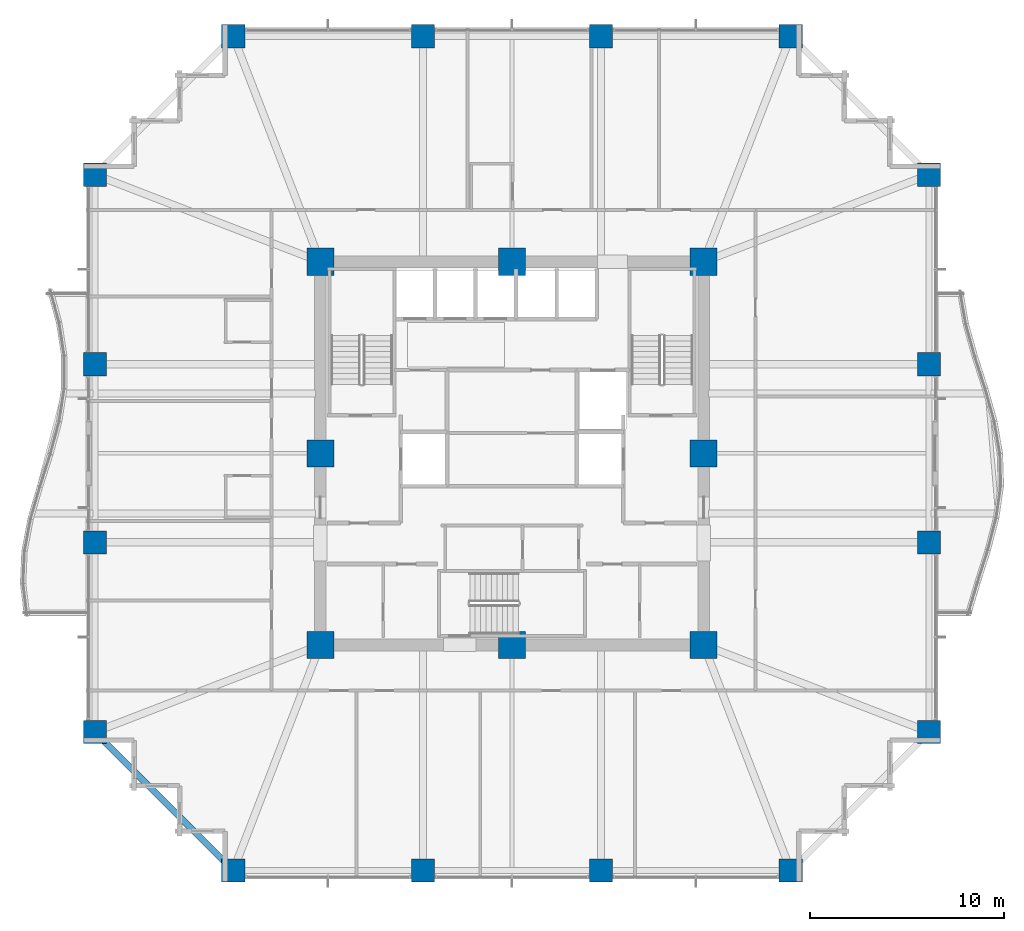
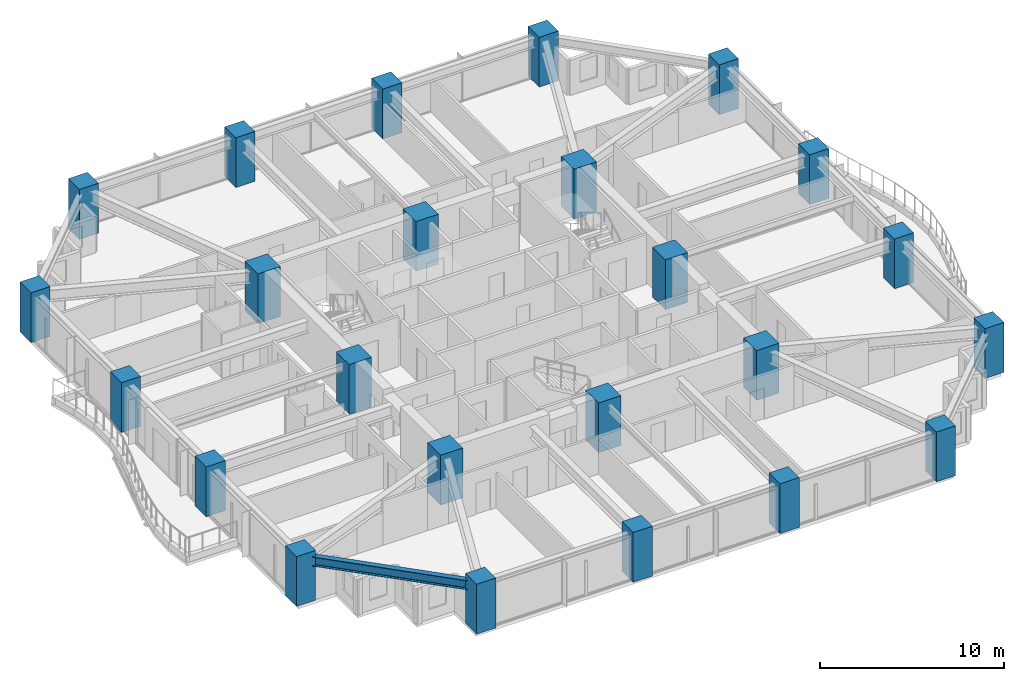
# One storey, part 1 of 38: 24 columns, 1 beam.
"""IFC4 building model written with IfcOpenShell, lengths in metres."""

import ifcopenshell
import ifcopenshell.guid

model = None  # the IFC model being written
_history = None  # IfcOwnerHistory: only IFC2X3 demands one
_inside = {}  # id of a spatial element -> (the spatial element, [elements in it])
_under = {}  # id of a project, library or spatial element -> (it, [spatial elements below it])
_declared = {}  # id of a project -> (the project, [libraries it declares])
_typed = {}  # id of a type object -> (the type object, [elements of that type])
_made_of = {}  # id of a material, layer set ... -> (it, [elements and type objects made of it])


def new_model(schema):
    """Start an empty IFC model of exactly this schema.

    Asked for "IFC4X3", IfcOpenShell would pick the latest addendum, in which some entities
    have other attributes; the version numbers below select the first issue.
    IFC2X3 requires an IfcOwnerHistory on every rooted entity: one is made here for all.
    """
    global model, _history
    if schema == "IFC4X3":
        model = ifcopenshell.file(schema_version=(4, 3, 0, 0))
    else:
        model = ifcopenshell.file(schema=schema)
    _inside.clear()
    _under.clear()
    _declared.clear()
    _typed.clear()
    _made_of.clear()
    _history = None
    if model.schema == "IFC2X3":
        org = make("IfcOrganization", Name="unknown")
        user = make(
            "IfcPersonAndOrganization",
            ThePerson=make("IfcPerson", FamilyName="unknown"),
            TheOrganization=org,
        )
        app = make(
            "IfcApplication",
            ApplicationDeveloper=org,
            Version="unknown",
            ApplicationFullName="unknown",
            ApplicationIdentifier="unknown",
        )
        _history = make(
            "IfcOwnerHistory",
            OwningUser=user,
            OwningApplication=app,
            ChangeAction="ADDED",
            CreationDate=0,
        )
    return model


def make(cls, **values):
    """One entity of the class cls with the attributes given. An attribute that is None is left unset."""
    return model.create_entity(
        cls, **{name: value for name, value in values.items() if value is not None}
    )


def rooted(cls, **values):
    """An entity with a GlobalId (a new one), such as an element, a storey or a relation."""
    return make(cls, GlobalId=ifcopenshell.guid.new(), OwnerHistory=_history, **values)


def si_unit(unit_type, name, prefix=None):
    """IfcSIUnit, for example si_unit("LENGTHUNIT", "METRE", prefix="MILLI")."""
    return make("IfcSIUnit", UnitType=unit_type, Prefix=prefix, Name=name)


def assignment(units):
    """IfcUnitAssignment: the units of a project."""
    return None if units is None else make("IfcUnitAssignment", Units=units)


def point(xyz):
    """IfcCartesianPoint."""
    return None if xyz is None else make("IfcCartesianPoint", Coordinates=xyz)


def direction(xyz):
    """IfcDirection."""
    return None if xyz is None else make("IfcDirection", DirectionRatios=xyz)


def frame(location, z_axis=None, x_axis=None):
    """IfcAxis2Placement3D, a coordinate frame: its origin and axes. An axis left out is left unset."""
    return make(
        "IfcAxis2Placement3D",
        Location=point(location),
        Axis=direction(z_axis),
        RefDirection=direction(x_axis),
    )


def frame_2d(location, x_axis=None):
    """IfcAxis2Placement2D, a coordinate frame in the plane: its origin and x axis."""
    return make(
        "IfcAxis2Placement2D", Location=point(location), RefDirection=direction(x_axis)
    )


def origin():
    """The frame at (0, 0, 0) with its axes left unset."""
    return frame((0.0, 0.0, 0.0))


def origin_2d():
    """The frame at (0, 0) in the plane with its x axis left unset."""
    return frame_2d((0.0, 0.0))


def place(relative_to, where):
    """IfcLocalPlacement: puts the frame where relative to a parent placement (None: the world)."""
    return make(
        "IfcLocalPlacement", PlacementRelTo=relative_to, RelativePlacement=where
    )


def context(
    kind, dimensions, precision=None, world=None, true_north=None, identifier=None
):
    """IfcGeometricRepresentationContext, for example the 3D "Model" context."""
    return make(
        "IfcGeometricRepresentationContext",
        ContextIdentifier=identifier,
        ContextType=kind,
        CoordinateSpaceDimension=dimensions,
        Precision=precision,
        WorldCoordinateSystem=world,
        TrueNorth=true_north,
    )


def subcontext(parent, identifier, kind, view, scale=None):
    """IfcGeometricRepresentationSubContext, for example "Body" below "Model"."""
    return make(
        "IfcGeometricRepresentationSubContext",
        ContextIdentifier=identifier,
        ContextType=kind,
        ParentContext=parent,
        TargetScale=scale,
        TargetView=view,
    )


def project(units=None, contexts=None):
    """IfcProject with its units and contexts."""
    return rooted(
        "IfcProject",
        Name="project",
        RepresentationContexts=contexts,
        UnitsInContext=assignment(units),
    )


def spatial(cls, under=None, at=None, **own):
    """A site, building, storey or space (cls), placed at a placement, below another one or the project."""
    s = rooted(cls, ObjectPlacement=at, **own)
    if under is not None:
        _under.setdefault(under.id(), (under, []))[1].append(s)
    return s


def profile(cls, at=None, kind="AREA", **sizes):
    """A parametric profile (cls). Its sizes go by their IFC names, for example OverallWidth=200.0."""
    return make(cls, ProfileType=kind, Position=at, **sizes)


def rectangle(**sizes):
    """IfcRectangleProfileDef."""
    return profile("IfcRectangleProfileDef", **sizes)


def i_section(**sizes):
    """IfcIShapeProfileDef."""
    return profile("IfcIShapeProfileDef", **sizes)


def extrude(swept, where, along, depth):
    """IfcExtrudedAreaSolid: the profile swept, set in the frame where, extruded along a direction by depth."""
    return make(
        "IfcExtrudedAreaSolid",
        SweptArea=swept,
        Position=where,
        ExtrudedDirection=direction(along),
        Depth=depth,
    )


def shape(context_of_items, identifier, shape_type, items):
    """IfcShapeRepresentation: the items that make up one representation, for example the "Body"."""
    return make(
        "IfcShapeRepresentation",
        ContextOfItems=context_of_items,
        RepresentationIdentifier=identifier,
        RepresentationType=shape_type,
        Items=items,
    )


def material(Name=None, Category=None):
    """IfcMaterial."""
    return make("IfcMaterial", Name=Name, Category=Category)


def material_profile(
    of_material, cross_section, Name=None, Category=None, Priority=None
):
    """IfcMaterialProfile: a cross section and its material."""
    return make(
        "IfcMaterialProfile",
        Name=Name,
        Material=of_material,
        Profile=cross_section,
        Priority=Priority,
        Category=Category,
    )


def profile_set(profiles, Name=None, composite=None):
    """IfcMaterialProfileSet."""
    return make(
        "IfcMaterialProfileSet",
        Name=Name,
        MaterialProfiles=profiles,
        CompositeProfile=composite,
    )


def made_of(thing, what):
    """Note that an element or type object is made of a material, layer set ...; save() writes the relation."""
    if what is not None:
        _made_of.setdefault(what.id(), (what, []))[1].append(thing)
    return thing


def type_object(cls, material=None, **own):
    """A type object (cls), such as IfcWallType, which elements share."""
    return made_of(rooted(cls, **own), material)


def element(
    cls,
    number,
    at=None,
    inside=None,
    cuts=None,
    type_object=None,
    material=None,
    context=None,
    identifier="Body",
    shape_type=None,
    held_by="IfcProductDefinitionShape",
    body=None,
    shapes=None,
    **own,
):
    """One element of the class cls, such as IfcWall. Its Tag is "e" and its number.

    at: its placement. inside: the storey or other place that contains it. cuts: it is an
    opening in that element (IfcRelVoidsElement). A single representation is given by context,
    identifier, shape_type and body (its items); several are given by shapes. held_by: the class
    of the entity that holds the representations. save() writes the other relations.
    """
    e = rooted(cls, Tag="e%d" % number, ObjectPlacement=at, **own)
    if body is not None:
        shapes = [shape(context, identifier, shape_type, body)]
    if shapes is not None:
        e.Representation = make(held_by, Representations=shapes)
    if inside is not None:
        _inside.setdefault(inside.id(), (inside, []))[1].append(e)
    if cuts is not None:
        rooted(
            "IfcRelVoidsElement", RelatingBuildingElement=cuts, RelatedOpeningElement=e
        )
    if type_object is not None:
        _typed.setdefault(type_object.id(), (type_object, []))[1].append(e)
    return made_of(e, material)


def aggregate(whole, parts):
    """IfcRelAggregates: a whole, such as a stair, and the parts it consists of."""
    return rooted("IfcRelAggregates", RelatingObject=whole, RelatedObjects=parts)


def save(model, path):
    """Write the relations noted so far, then the file.

    IfcRelAggregates (storeys below a building ...), IfcRelContainedInSpatialStructure (elements
    in a storey), IfcRelDefinesByType, IfcRelAssociatesMaterial and IfcRelDeclares: one each for
    every whole, place, type object, material and project.
    """
    for whole, parts in _under.values():
        aggregate(whole, parts)
    for where, things in _inside.values():
        rooted(
            "IfcRelContainedInSpatialStructure",
            RelatedElements=things,
            RelatingStructure=where,
        )
    for kind, things in _typed.values():
        rooted("IfcRelDefinesByType", RelatedObjects=things, RelatingType=kind)
    for what, things in _made_of.values():
        rooted("IfcRelAssociatesMaterial", RelatedObjects=things, RelatingMaterial=what)
    for by, libraries in _declared.values():
        rooted("IfcRelDeclares", RelatingContext=by, RelatedDefinitions=libraries)
    model.write(path)


model = new_model("IFC4")

# Units and contexts
model_context = context("Model", 3, precision=1e-05, world=origin(), true_north=direction((0.0, 1.0)))
body_context = subcontext(model_context, "Body", "Model", "MODEL_VIEW")
ifc_project = project(units=[si_unit("LENGTHUNIT", "METRE"), si_unit("AREAUNIT", "SQUARE_METRE"), si_unit("VOLUMEUNIT", "CUBIC_METRE"), si_unit("PLANEANGLEUNIT", "RADIAN"), si_unit("MASSUNIT", "GRAM", prefix="KILO")], contexts=[model_context])

# Site, building, storey
site_placement = place(None, origin())
site = spatial("IfcSite", under=ifc_project, at=site_placement, CompositionType="ELEMENT")
building_placement = place(site_placement, origin())
building = spatial("IfcBuilding", under=site, at=building_placement, Name="Kolvaren Belvedere", CompositionType="ELEMENT")
storey_placement = place(building_placement, frame((0.0, 0.0, 60.10009765625)))
storey = spatial("IfcBuildingStorey", under=building, at=storey_placement, Name="L17", CompositionType="ELEMENT", Elevation=60.10009765625)

# Columns
ifc_material_1 = material(Name="Concrete C60/75", Category="concrete")
ifc_material_profile_1 = material_profile(ifc_material_1, rectangle(XDim=1.199951171875, YDim=1.199951171875, at=origin_2d()), Name="RC 1200X1200")
ifc_profile_set_1 = profile_set([ifc_material_profile_1], Name="Concrete C60/75")
column_type_1 = type_object("IfcColumnType", Name="COL-RC-1200", PredefinedType="COLUMN", material=ifc_profile_set_1)
for number, where, z_axis, x_axis, name in (
    (1, (-14.39990234375, -21.550048828125, 0.0), (0.0, 0.0, 1.0), (1.0, 0.0, 0.0), "L17 Perimeter Column S1"),
    (2, (-4.60009765625, -21.550048828125, 0.0), (0.0, 0.0, 1.0), (1.0, 0.0, 0.0), "L17 Perimeter Column S2"),
    (3, (4.60009765625, -21.550048828125, 0.0), (0.0, 0.0, 1.0), (1.0, 0.0, 0.0), "L17 Perimeter Column S3"),
    (4, (14.39990234375, -21.550048828125, 0.0), (0.0, 0.0, 1.0), (1.0, 0.0, 0.0), "L17 Perimeter Column S4"),
    (5, (-14.39990234375, 21.550048828125, 0.0), (0.0, 0.0, 1.0), (1.0, 0.0, 0.0), "L17 Perimeter Column N1"),
    (6, (-4.60009765625, 21.550048828125, 0.0), (0.0, 0.0, 1.0), (1.0, 0.0, 0.0), "L17 Perimeter Column N2"),
    (7, (4.60009765625, 21.550048828125, 0.0), (0.0, 0.0, 1.0), (1.0, 0.0, 0.0), "L17 Perimeter Column N3"),
    (8, (14.39990234375, 21.550048828125, 0.0), (0.0, 0.0, 1.0), (1.0, 0.0, 0.0), "L17 Perimeter Column N4"),
    (9, (-21.550048828125, -14.39990234375, 0.0), (0.0, 0.0, 1.0), (1.0, 0.0, 0.0), "L17 Perimeter Column W1"),
    (10, (-21.550048828125, -4.60009765625, 0.0), (0.0, 0.0, 1.0), (1.0, 0.0, 0.0), "L17 Perimeter Column W2"),
    (11, (-21.550048828125, 4.60009765625, 0.0), (0.0, 0.0, 1.0), (1.0, 0.0, 0.0), "L17 Perimeter Column W3"),
    (12, (-21.550048828125, 14.39990234375, 0.0), (0.0, 0.0, 1.0), (1.0, 0.0, 0.0), "L17 Perimeter Column W4"),
    (13, (21.550048828125, -14.39990234375, 0.0), (0.0, 0.0, 1.0), (1.0, 0.0, 0.0), "L17 Perimeter Column E1"),
    (14, (21.550048828125, -4.60009765625, 0.0), (0.0, 0.0, 1.0), (1.0, 0.0, 0.0), "L17 Perimeter Column E2"),
    (15, (21.550048828125, 4.60009765625, 0.0), (0.0, 0.0, 1.0), (1.0, 0.0, 0.0), "L17 Perimeter Column E3"),
    (16, (21.550048828125, 14.39990234375, 0.0), (0.0, 0.0, 1.0), (1.0, 0.0, 0.0), "L17 Perimeter Column E4"),
):
    element("IfcColumn", number, at=place(storey_placement, frame(where, z_axis=z_axis, x_axis=x_axis)), inside=storey, type_object=column_type_1, Name=name, PredefinedType="COLUMN", context=body_context, shape_type="SweptSolid", body=[
        extrude(rectangle(XDim=1.199951171875, YDim=1.199951171875, at=origin_2d()), origin(), (0.0, 0.0, 1.0), 3.2998046875),
    ])
ifc_material_2 = material(Name="Concrete C60/75", Category="concrete")
ifc_material_profile_2 = material_profile(ifc_material_2, rectangle(XDim=1.39990234375, YDim=1.39990234375, at=origin_2d()), Name="RC 1400X1400")
ifc_profile_set_2 = profile_set([ifc_material_profile_2], Name="Concrete C60/75")
column_type_2 = type_object("IfcColumnType", Name="COL-RC-1400", PredefinedType="COLUMN", material=ifc_profile_set_2)
for number, where, z_axis, x_axis, name in (
    (17, (-9.89990234375, -9.89990234375, 0.0), (0.0, 0.0, 1.0), (1.0, 0.0, 0.0), "L17 Core Column CC1"),
    (18, (9.89990234375, -9.89990234375, 0.0), (0.0, 0.0, 1.0), (1.0, 0.0, 0.0), "L17 Core Column CC2"),
    (19, (9.89990234375, 9.89990234375, 0.0), (0.0, 0.0, 1.0), (1.0, 0.0, 0.0), "L17 Core Column CC3"),
    (20, (-9.89990234375, 9.89990234375, 0.0), (0.0, 0.0, 1.0), (1.0, 0.0, 0.0), "L17 Core Column CC4"),
    (21, (0.0, -9.89990234375, 0.0), (0.0, 0.0, 1.0), (1.0, 0.0, 0.0), "L17 Core Column CM1"),
    (22, (9.89990234375, 0.0, 0.0), (0.0, 0.0, 1.0), (1.0, 0.0, 0.0), "L17 Core Column CM2"),
    (23, (0.0, 9.89990234375, 0.0), (0.0, 0.0, 1.0), (1.0, 0.0, 0.0), "L17 Core Column CM3"),
    (24, (-9.89990234375, 0.0, 0.0), (0.0, 0.0, 1.0), (1.0, 0.0, 0.0), "L17 Core Column CM4"),
):
    element("IfcColumn", number, at=place(storey_placement, frame(where, z_axis=z_axis, x_axis=x_axis)), inside=storey, type_object=column_type_2, Name=name, PredefinedType="COLUMN", context=body_context, shape_type="SweptSolid", body=[
        extrude(rectangle(XDim=1.39990234375, YDim=1.39990234375, at=origin_2d()), origin(), (0.0, 0.0, 1.0), 3.2998046875),
    ])

# Beam
ifc_material_3 = material(Name="Structural steel ASTM A992 Grade 50", Category="steel")
ifc_material_profile_3 = material_profile(ifc_material_3, i_section(OverallWidth=0.324951171875, OverallDepth=0.615966796875, WebThickness=0.013916015625, FlangeThickness=0.021484375, FilletRadius=0.02001953125, at=origin_2d()), Name="W24X117")
ifc_profile_set_3 = profile_set([ifc_material_profile_3], Name="Structural steel ASTM A992 Grade 50")
beam_type = type_object("IfcBeamType", Name="BM-SPAN-W24X117", PredefinedType="SPANDREL", material=ifc_profile_set_3)
beam_placement = place(storey_placement, frame((-21.359130859375, -14.5908203125, 2.641845703125), z_axis=(0.707106781187, -0.707106781187, 0.0), x_axis=(0.707106781187, 0.707106781187, 0.0)))
element("IfcBeam", 25, at=beam_placement, inside=storey, type_object=beam_type, Name="L17 Perimeter Spandrel W1-S1", PredefinedType="SPANDREL", context=body_context, shape_type="SweptSolid", body=[
    extrude(i_section(OverallWidth=0.324951171875, OverallDepth=0.615966796875, WebThickness=0.013916015625, FlangeThickness=0.021484375, FilletRadius=0.02001953125, at=origin_2d()), origin(), (0.0, 0.0, 1.0), 9.57177734375),
])

save(model, "model.ifc")
